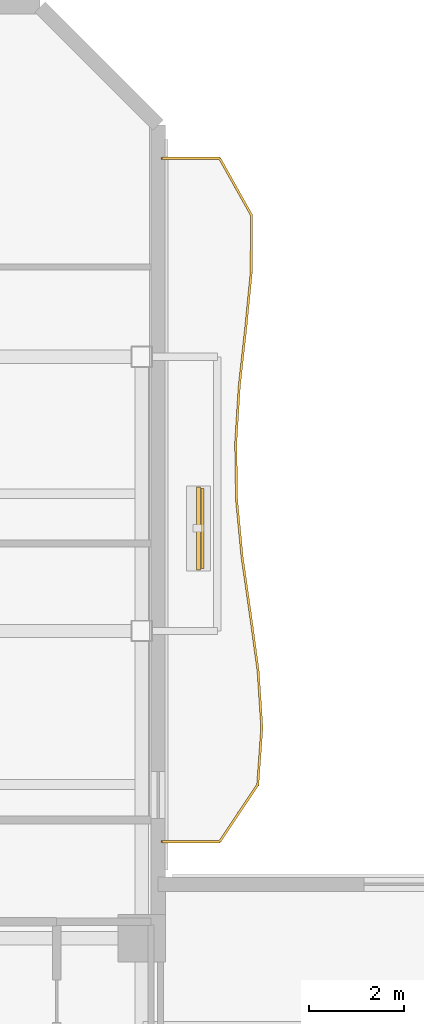
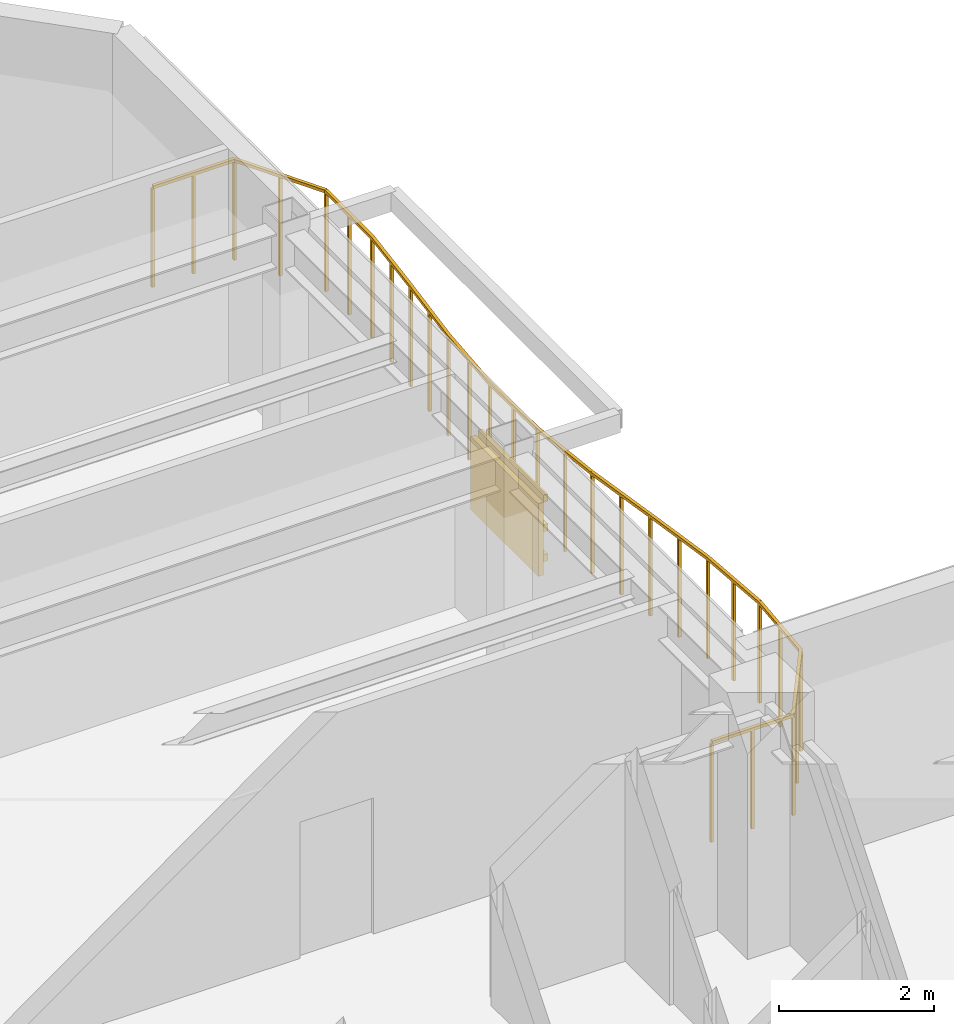
# One storey, part 17 of 17: 4 shading devices, 1 railing.
"""IFC4 building model written with IfcOpenShell, lengths in metres."""

from ifc_helpers import new_model, si_unit, direction, frame, origin, origin_2d, place, context, subcontext, project, spatial, rectangle, extrude, material, layer, layer_set, material_profile, profile_set, type_object, element, save


model = new_model("IFC4")

# Units and contexts
model_context = context("Model", 3, precision=1e-05, world=origin(), true_north=direction((0.0, 1.0)))
body_context = subcontext(model_context, "Body", "Model", "MODEL_VIEW")
ifc_project = project(units=[si_unit("LENGTHUNIT", "METRE"), si_unit("AREAUNIT", "SQUARE_METRE"), si_unit("VOLUMEUNIT", "CUBIC_METRE"), si_unit("PLANEANGLEUNIT", "RADIAN"), si_unit("MASSUNIT", "GRAM", prefix="KILO")], contexts=[model_context])

# Site, building, storey
site_placement = place(None, origin())
site = spatial("IfcSite", under=ifc_project, at=site_placement, CompositionType="ELEMENT")
building_placement = place(site_placement, origin())
building = spatial("IfcBuilding", under=site, at=building_placement, Name="Mawjaban Terraces University", CompositionType="ELEMENT")
storey_placement = place(building_placement, frame((0.0, 0.0, 183.60009765625)))
storey = spatial("IfcBuildingStorey", under=building, at=storey_placement, Name="L44", CompositionType="ELEMENT", Elevation=183.60009765625)

# Railing
ifc_material_1 = material(Name="Galvanised powder-coated steel S355", Category="steel")
railing_type = type_object("IfcRailingType", Name="BalconyBalustrade_1600", PredefinedType="BALUSTRADE", material=ifc_material_1)
railing_placement = place(storey_placement, frame((38.080078125, 25.5400390625, 0.0)))
element("IfcRailing", 1, at=railing_placement, inside=storey, type_object=railing_type, Name="L44 Balcony Guardrail inner_east", PredefinedType="BALUSTRADE", context=body_context, shape_type="SweptSolid", body=[
    extrude(rectangle(XDim=0.048095703125, YDim=0.048095703125, at=origin_2d()), frame((0.0, 0.0, 1.576171875), z_axis=(1.0, 0.0, 0.0), x_axis=(0.0, 1.0, 0.0)), (0.0, 0.0, 1.0), 1.219970703125),
    extrude(rectangle(XDim=0.048095703125, YDim=0.048095703125, at=origin_2d()), frame((1.219970703125, 0.0, 1.576171875), z_axis=(0.556369546641, 0.830934971927, 0.0), x_axis=(-0.830934971927, 0.556369546641, 0.0)), (0.0, 0.0, 1.0), 1.4501953125),
    extrude(rectangle(XDim=0.048095703125, YDim=0.048095703125, at=origin_2d()), frame((2.02685546875, 1.205078125, 1.576171875), z_axis=(0.072151881533, 0.997393656482, 0.0), x_axis=(-0.997393656482, 0.072151881533, 0.0)), (0.0, 0.0, 1.0), 1.2080078125),
    extrude(rectangle(XDim=0.048095703125, YDim=0.048095703125, at=origin_2d()), frame((2.114013671875, 2.409912109375, 1.576171875), z_axis=(-0.065499239993, 0.997852619158, 0.0), x_axis=(-0.997852619158, -0.065499239993, 0.0)), (0.0, 0.0, 1.0), 1.207763671875),
    extrude(rectangle(XDim=0.048095703125, YDim=0.048095703125, at=origin_2d()), frame((2.034912109375, 3.614990234375, 1.576171875), z_axis=(-0.135686433975, 0.990751831507, 0.0), x_axis=(-0.990751831507, -0.135686433975, 0.0)), (0.0, 0.0, 1.0), 1.21630859375),
    extrude(rectangle(XDim=0.048095703125, YDim=0.048095703125, at=origin_2d()), frame((1.869873046875, 4.820068359375, 1.576171875), z_axis=(-0.142993504754, 0.989723626877, 0.0), x_axis=(-0.989723626877, -0.142993504754, 0.0)), (0.0, 0.0, 1.0), 1.21728515625),
    extrude(rectangle(XDim=0.048095703125, YDim=0.048095703125, at=origin_2d()), frame((1.69580078125, 6.02490234375, 1.576171875), z_axis=(-0.095789257975, 0.995401636555, 0.0), x_axis=(-0.995401636555, -0.095789257975, 0.0)), (0.0, 0.0, 1.0), 1.210693359375),
    extrude(rectangle(XDim=0.048095703125, YDim=0.048095703125, at=origin_2d()), frame((1.579833984375, 7.22998046875, 1.576171875), z_axis=(-0.015597778108, 0.999878347259, 0.0), x_axis=(-0.999878347259, -0.015597778108, 0.0)), (0.0, 0.0, 1.0), 1.205322265625),
    extrude(rectangle(XDim=0.048095703125, YDim=0.048095703125, at=origin_2d()), frame((1.56103515625, 8.43505859375, 1.576171875), z_axis=(0.062894483615, 0.998020182126, 0.0), x_axis=(-0.998020182126, 0.062894483615, 0.0)), (0.0, 0.0, 1.0), 1.207275390625),
    extrude(rectangle(XDim=0.048095703125, YDim=0.048095703125, at=origin_2d()), frame((1.636962890625, 9.639892578125, 1.576171875), z_axis=(0.110542023216, 0.993871450995, 0.0), x_axis=(-0.993871450995, 0.110542023216, 0.0)), (0.0, 0.0, 1.0), 1.21240234375),
    extrude(rectangle(XDim=0.048095703125, YDim=0.048095703125, at=origin_2d()), frame((1.77099609375, 10.844970703125, 1.576171875), z_axis=(0.098186152374, 0.995168065948, 0.0), x_axis=(-0.995168065948, 0.098186152374, 0.0)), (0.0, 0.0, 1.0), 1.2109375),
    extrude(rectangle(XDim=0.048095703125, YDim=0.048095703125, at=origin_2d()), frame((1.889892578125, 12.050048828125, 1.576171875), z_axis=(0.004255280622, 0.999990946252, 0.0), x_axis=(-0.999990946252, 0.004255280622, 0.0)), (0.0, 0.0, 1.0), 1.204833984375),
    extrude(rectangle(XDim=0.048095703125, YDim=0.048095703125, at=origin_2d()), frame((1.89501953125, 13.2548828125, 1.576171875), z_axis=(-0.488716390717, 0.872442714133, 0.0), x_axis=(-0.872442714133, -0.488716390717, 0.0)), (0.0, 0.0, 1.0), 1.38134765625),
    extrude(rectangle(XDim=0.048095703125, YDim=0.048095703125, at=origin_2d()), frame((1.219970703125, 14.4599609375, 1.576171875), z_axis=(-1.0, 0.0, 0.0), x_axis=(0.0, -1.0, 0.0)), (0.0, 0.0, 1.0), 1.219970703125),
    extrude(rectangle(XDim=0.0419921875, YDim=0.0419921875, at=origin_2d()), origin(), (0.0, 0.0, 1.0), 1.552001953125),
    extrude(rectangle(XDim=0.0419921875, YDim=0.0419921875, at=origin_2d()), frame((0.60986328125, 0.0, 0.0)), (0.0, 0.0, 1.0), 1.552001953125),
    extrude(rectangle(XDim=0.0419921875, YDim=0.0419921875, at=origin_2d()), frame((1.219970703125, 0.0, 0.0)), (0.0, 0.0, 1.0), 1.552001953125),
    extrude(rectangle(XDim=0.0419921875, YDim=0.0419921875, at=origin_2d()), frame((1.62353515625, 0.6025390625, 0.0)), (0.0, 0.0, 1.0), 1.552001953125),
    extrude(rectangle(XDim=0.0419921875, YDim=0.0419921875, at=origin_2d()), frame((2.02685546875, 1.205078125, 0.0)), (0.0, 0.0, 1.0), 1.552001953125),
    extrude(rectangle(XDim=0.0419921875, YDim=0.0419921875, at=origin_2d()), frame((2.0703125, 1.8076171875, 0.0)), (0.0, 0.0, 1.0), 1.552001953125),
    extrude(rectangle(XDim=0.0419921875, YDim=0.0419921875, at=origin_2d()), frame((2.114013671875, 2.409912109375, 0.0)), (0.0, 0.0, 1.0), 1.552001953125),
    extrude(rectangle(XDim=0.0419921875, YDim=0.0419921875, at=origin_2d()), frame((2.074462890625, 3.012451171875, 0.0)), (0.0, 0.0, 1.0), 1.552001953125),
    extrude(rectangle(XDim=0.0419921875, YDim=0.0419921875, at=origin_2d()), frame((2.034912109375, 3.614990234375, 0.0)), (0.0, 0.0, 1.0), 1.552001953125),
    extrude(rectangle(XDim=0.0419921875, YDim=0.0419921875, at=origin_2d()), frame((1.952392578125, 4.217529296875, 0.0)), (0.0, 0.0, 1.0), 1.552001953125),
    extrude(rectangle(XDim=0.0419921875, YDim=0.0419921875, at=origin_2d()), frame((1.869873046875, 4.820068359375, 0.0)), (0.0, 0.0, 1.0), 1.552001953125),
    extrude(rectangle(XDim=0.0419921875, YDim=0.0419921875, at=origin_2d()), frame((1.78271484375, 5.42236328125, 0.0)), (0.0, 0.0, 1.0), 1.552001953125),
    extrude(rectangle(XDim=0.0419921875, YDim=0.0419921875, at=origin_2d()), frame((1.69580078125, 6.02490234375, 0.0)), (0.0, 0.0, 1.0), 1.552001953125),
    extrude(rectangle(XDim=0.0419921875, YDim=0.0419921875, at=origin_2d()), frame((1.6376953125, 6.62744140625, 0.0)), (0.0, 0.0, 1.0), 1.552001953125),
    extrude(rectangle(XDim=0.0419921875, YDim=0.0419921875, at=origin_2d()), frame((1.579833984375, 7.22998046875, 0.0)), (0.0, 0.0, 1.0), 1.552001953125),
    extrude(rectangle(XDim=0.0419921875, YDim=0.0419921875, at=origin_2d()), frame((1.5703125, 7.83251953125, 0.0)), (0.0, 0.0, 1.0), 1.552001953125),
    extrude(rectangle(XDim=0.0419921875, YDim=0.0419921875, at=origin_2d()), frame((1.56103515625, 8.43505859375, 0.0)), (0.0, 0.0, 1.0), 1.552001953125),
    extrude(rectangle(XDim=0.0419921875, YDim=0.0419921875, at=origin_2d()), frame((1.59912109375, 9.03759765625, 0.0)), (0.0, 0.0, 1.0), 1.552001953125),
    extrude(rectangle(XDim=0.0419921875, YDim=0.0419921875, at=origin_2d()), frame((1.636962890625, 9.639892578125, 0.0)), (0.0, 0.0, 1.0), 1.552001953125),
    extrude(rectangle(XDim=0.0419921875, YDim=0.0419921875, at=origin_2d()), frame((1.7041015625, 10.242431640625, 0.0)), (0.0, 0.0, 1.0), 1.552001953125),
    extrude(rectangle(XDim=0.0419921875, YDim=0.0419921875, at=origin_2d()), frame((1.77099609375, 10.844970703125, 0.0)), (0.0, 0.0, 1.0), 1.552001953125),
    extrude(rectangle(XDim=0.0419921875, YDim=0.0419921875, at=origin_2d()), frame((1.83056640625, 11.447509765625, 0.0)), (0.0, 0.0, 1.0), 1.552001953125),
    extrude(rectangle(XDim=0.0419921875, YDim=0.0419921875, at=origin_2d()), frame((1.889892578125, 12.050048828125, 0.0)), (0.0, 0.0, 1.0), 1.552001953125),
    extrude(rectangle(XDim=0.0419921875, YDim=0.0419921875, at=origin_2d()), frame((1.892578125, 12.65234375, 0.0)), (0.0, 0.0, 1.0), 1.552001953125),
    extrude(rectangle(XDim=0.0419921875, YDim=0.0419921875, at=origin_2d()), frame((1.89501953125, 13.2548828125, 0.0)), (0.0, 0.0, 1.0), 1.552001953125),
    extrude(rectangle(XDim=0.0419921875, YDim=0.0419921875, at=origin_2d()), frame((1.5576171875, 13.857421875, 0.0)), (0.0, 0.0, 1.0), 1.552001953125),
    extrude(rectangle(XDim=0.0419921875, YDim=0.0419921875, at=origin_2d()), frame((1.219970703125, 14.4599609375, 0.0)), (0.0, 0.0, 1.0), 1.552001953125),
    extrude(rectangle(XDim=0.0419921875, YDim=0.0419921875, at=origin_2d()), frame((0.60986328125, 14.4599609375, 0.0)), (0.0, 0.0, 1.0), 1.552001953125),
    extrude(rectangle(XDim=0.0419921875, YDim=0.0419921875, at=origin_2d()), frame((0.0, 14.4599609375, 0.0)), (0.0, 0.0, 1.0), 1.552001953125),
])

# Shading devices
ifc_material_2 = material(Name="Glazed architectural terracotta ceramic", Category="masonry")
ifc_material_profile = material_profile(ifc_material_2, rectangle(XDim=0.06494140625, YDim=0.110107421875, at=origin_2d()), Name="TBAG110X65")
ifc_profile_set = profile_set([ifc_material_profile], Name="Glazed architectural terracotta ceramic")
shading_device_type_1 = type_object("IfcShadingDeviceType", Name="TerracottaBaguette_110x65", PredefinedType="USERDEFINED", material=ifc_profile_set)
for number, where, z_axis, x_axis, name in (
    (2, (38.93896484375, 31.318115234375, 0.679931640625), (0.0, 1.0, 0.0), (-1.0, 0.0, 0.0), "L44 Horizontal Terracotta Baguette inner_east.1"),
    (3, (38.93896484375, 31.318115234375, 1.14990234375), (0.0, 1.0, 0.0), (-1.0, 0.0, 0.0), "L44 Horizontal Terracotta Baguette inner_east.2"),
    (4, (38.93896484375, 31.318115234375, 1.619873046875), (0.0, 1.0, 0.0), (-1.0, 0.0, 0.0), "L44 Horizontal Terracotta Baguette inner_east.3"),
):
    element("IfcShadingDevice", number, at=place(storey_placement, frame(where, z_axis=z_axis, x_axis=x_axis)), inside=storey, type_object=shading_device_type_1, Name=name, ObjectType="BAGUETTE", PredefinedType="USERDEFINED", context=body_context, shape_type="SweptSolid", body=[
        extrude(rectangle(XDim=0.06494140625, YDim=0.110107421875, at=origin_2d()), origin(), (0.0, 0.0, 1.0), 1.699951171875),
    ])
ifc_layer = layer(ifc_material_2, 0.080078125)
ifc_layer_set = layer_set([ifc_layer], Name="Glazed architectural terracotta ceramic")
shading_device_type_2 = type_object("IfcShadingDeviceType", Name="TerracottaScreen_Perforated", PredefinedType="USERDEFINED", material=ifc_layer_set)
shading_device_placement = place(storey_placement, frame((38.85400390625, 32.16796875, 0.43994140625), z_axis=(0.0, 0.0, 1.0), x_axis=(0.0, 1.0, 0.0)))
element("IfcShadingDevice", 5, at=shading_device_placement, inside=storey, type_object=shading_device_type_2, Name="L44 Balcony Perforated Terracotta Screen inner_east", ObjectType="SCREEN", PredefinedType="USERDEFINED", context=body_context, shape_type="SweptSolid", body=[
    extrude(rectangle(XDim=1.75, YDim=0.080078125, at=origin_2d()), origin(), (0.0, 0.0, 1.0), 1.14990234375),
])

save(model, "model.ifc")
